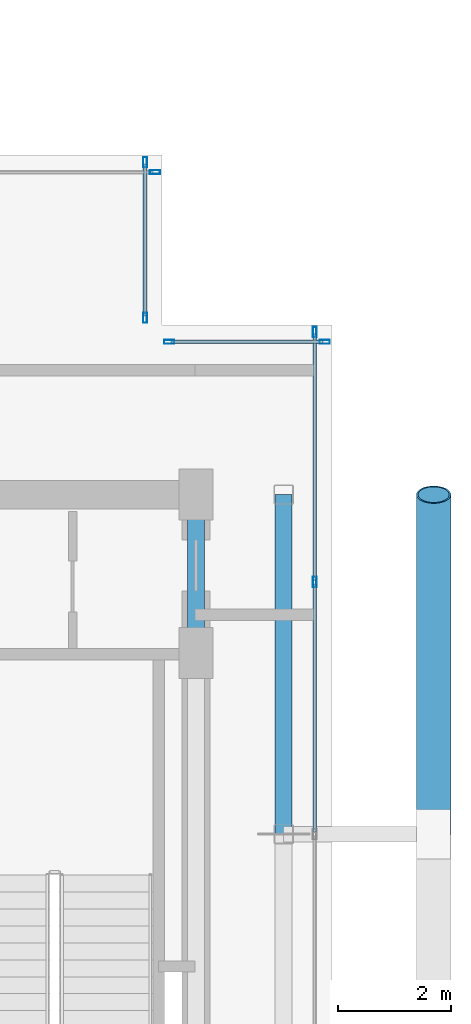
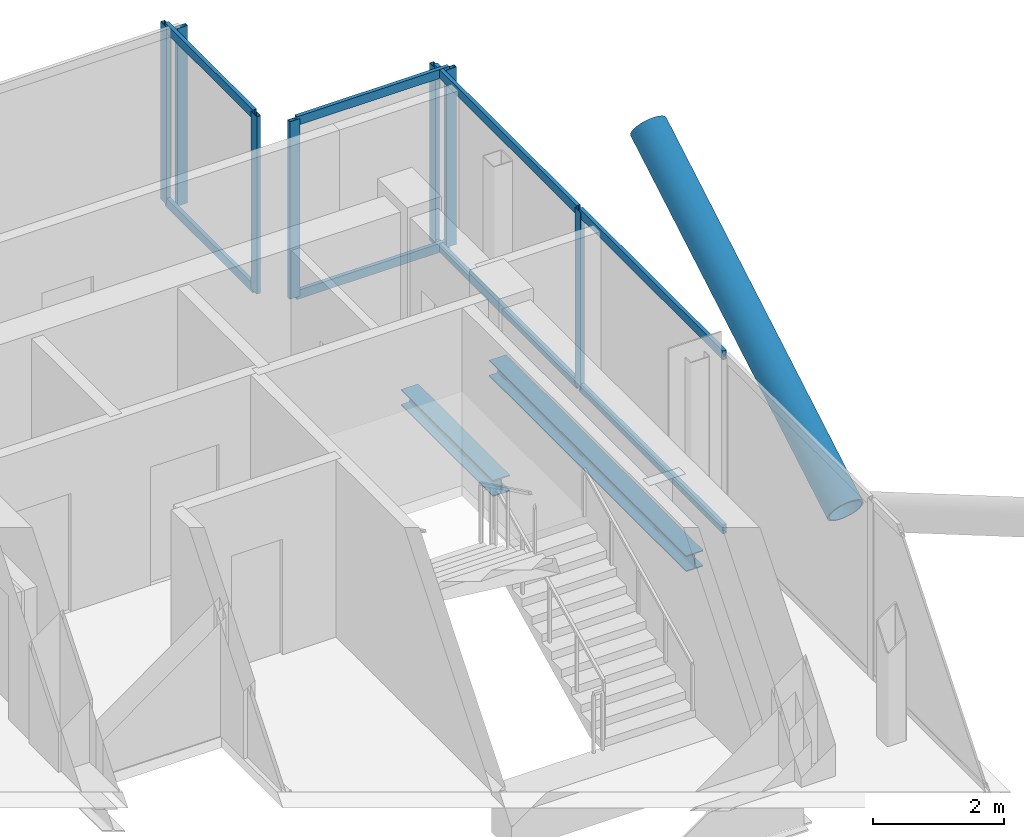
# One storey, part 12 of 18: 16 members, 2 beams, 4 elements without a shape of their own.
"""IFC4 building model written with IfcOpenShell, lengths in metres."""

from ifc_helpers import new_model, si_unit, direction, frame, origin, origin_2d, place, context, subcontext, project, spatial, hollow_rectangle, hollow_circle, i_section, extrude, material, layer, layer_set, material_profile, profile_set, type_object, element, aggregate, save


model = new_model("IFC4")

# Units and contexts
model_context = context("Model", 3, precision=1e-05, world=origin(), true_north=direction((0.0, 1.0)))
body_context = subcontext(model_context, "Body", "Model", "MODEL_VIEW")
ifc_project = project(units=[si_unit("LENGTHUNIT", "METRE"), si_unit("AREAUNIT", "SQUARE_METRE"), si_unit("VOLUMEUNIT", "CUBIC_METRE"), si_unit("PLANEANGLEUNIT", "RADIAN"), si_unit("MASSUNIT", "GRAM", prefix="KILO"), si_unit("THERMODYNAMICTEMPERATUREUNIT", "KELVIN"), si_unit("POWERUNIT", "WATT")], contexts=[model_context])

# Site, building, storey
site_placement = place(None, origin())
site = spatial("IfcSite", under=ifc_project, at=site_placement, CompositionType="ELEMENT")
building_placement = place(site_placement, origin())
building = spatial("IfcBuilding", under=site, at=building_placement, Name="Svarakhadi Broadcast Tower", CompositionType="ELEMENT")
storey_placement = place(building_placement, frame((0.0, 0.0, 253.699951171875)))
storey = spatial("IfcBuildingStorey", under=building, at=storey_placement, Name="L63", CompositionType="ELEMENT", Elevation=253.699951171875)

# Curtain wall, member
ifc_material_1 = material(Name="Anodised Bronze Aluminium AA 6063-T6", Category="aluminium")
ifc_layer = layer(ifc_material_1, 0.179931640625)
ifc_layer_set = layer_set([ifc_layer], Name="Anodised Bronze Aluminium AA 6063-T6")
curtain_wall_type = type_object("IfcCurtainWallType", Name="CW_Sys_05", PredefinedType="NOTDEFINED", material=ifc_layer_set)
curtain_wall_1_placement = place(storey_placement, origin())
curtain_wall_1 = element("IfcCurtainWall", 1, at=curtain_wall_1_placement, inside=storey, type_object=curtain_wall_type, Name="L63 Unitised Facade Curtain Wall 10", PredefinedType="NOTDEFINED")
ifc_material_profile_1 = material_profile(ifc_material_1, hollow_rectangle(XDim=0.070068359375, YDim=0.179931640625, WallThickness=0.005615234375, at=origin_2d()), Name="ALU MULLION 180x70x6")
ifc_profile_set_1 = profile_set([ifc_material_profile_1], Name="Anodised Bronze Aluminium AA 6063-T6")
member_type_1 = type_object("IfcMemberType", Name="CW_Sys_05_Mul", PredefinedType="MULLION", material=ifc_profile_set_1)
member_1_placement = place(storey_placement, frame((32.875, 23.699951171875, 0.0), z_axis=(0.0, 0.0, 1.0), x_axis=(0.0, 1.0, 0.0)))
member_1 = element("IfcMember", 2, at=member_1_placement, type_object=member_type_1, Name="CW-05 mullion 2", PredefinedType="MULLION", context=body_context, shape_type="SweptSolid", body=[
    extrude(hollow_rectangle(XDim=0.070068359375, YDim=0.179931640625, WallThickness=0.005615234375, at=origin_2d()), origin(), (0.0, 0.0, 1.0), 3.300048828125),
])
aggregate(curtain_wall_1, [member_1])

# Curtain wall, members
curtain_wall_2_placement = place(storey_placement, origin())
curtain_wall_2 = element("IfcCurtainWall", 3, at=curtain_wall_2_placement, inside=storey, type_object=curtain_wall_type, Name="L63 Unitised Facade Curtain Wall 11", PredefinedType="NOTDEFINED")
member_2_placement = place(storey_placement, frame((32.699951171875, 23.875, 0.0), z_axis=(0.0, 0.0, 1.0), x_axis=(1.0, 0.0, 0.0)))
member_2 = element("IfcMember", 4, at=member_2_placement, type_object=member_type_1, Name="CW-05 mullion 1", PredefinedType="MULLION", context=body_context, shape_type="SweptSolid", body=[
    extrude(hollow_rectangle(XDim=0.070068359375, YDim=0.179931640625, WallThickness=0.005615234375, at=origin_2d()), origin(), (0.0, 0.0, 1.0), 3.300048828125),
])
member_3_placement = place(storey_placement, frame((32.699951171875, 21.125, 0.0), z_axis=(0.0, 0.0, 1.0), x_axis=(1.0, 0.0, 0.0)))
member_3 = element("IfcMember", 5, at=member_3_placement, type_object=member_type_1, Name="CW-05 mullion 2", PredefinedType="MULLION", context=body_context, shape_type="SweptSolid", body=[
    extrude(hollow_rectangle(XDim=0.070068359375, YDim=0.179931640625, WallThickness=0.005615234375, at=origin_2d()), origin(), (0.0, 0.0, 1.0), 3.300048828125),
])

curtain_wall_3_placement = place(storey_placement, origin())
curtain_wall_3 = element("IfcCurtainWall", 6, at=curtain_wall_3_placement, inside=storey, type_object=curtain_wall_type, Name="L63 Unitised Facade Curtain Wall 12", PredefinedType="NOTDEFINED")
member_4_placement = place(storey_placement, frame((33.125, 20.699951171875, 0.0), z_axis=(0.0, 0.0, 1.0), x_axis=(0.0, 1.0, 0.0)))
member_4 = element("IfcMember", 7, at=member_4_placement, type_object=member_type_1, Name="CW-05 mullion 1", PredefinedType="MULLION", context=body_context, shape_type="SweptSolid", body=[
    extrude(hollow_rectangle(XDim=0.070068359375, YDim=0.179931640625, WallThickness=0.005615234375, at=origin_2d()), origin(), (0.0, 0.0, 1.0), 3.300048828125),
])
member_5_placement = place(storey_placement, frame((35.875, 20.699951171875, 0.0), z_axis=(0.0, 0.0, 1.0), x_axis=(0.0, 1.0, 0.0)))
member_5 = element("IfcMember", 8, at=member_5_placement, type_object=member_type_1, Name="CW-05 mullion 2", PredefinedType="MULLION", context=body_context, shape_type="SweptSolid", body=[
    extrude(hollow_rectangle(XDim=0.070068359375, YDim=0.179931640625, WallThickness=0.005615234375, at=origin_2d()), origin(), (0.0, 0.0, 1.0), 3.300048828125),
])

curtain_wall_4_placement = place(storey_placement, origin())
curtain_wall_4 = element("IfcCurtainWall", 9, at=curtain_wall_4_placement, inside=storey, type_object=curtain_wall_type, Name="L63 Unitised Facade Curtain Wall 13", PredefinedType="NOTDEFINED")
member_6_placement = place(storey_placement, frame((35.699951171875, 20.875, 0.0), z_axis=(0.0, 0.0, 1.0), x_axis=(1.0, 0.0, 0.0)))
member_6 = element("IfcMember", 10, at=member_6_placement, type_object=member_type_1, Name="CW-05 mullion 1", PredefinedType="MULLION", context=body_context, shape_type="SweptSolid", body=[
    extrude(hollow_rectangle(XDim=0.070068359375, YDim=0.179931640625, WallThickness=0.005615234375, at=origin_2d()), origin(), (0.0, 0.0, 1.0), 3.300048828125),
])
member_7_placement = place(storey_placement, frame((35.699951171875, 16.455078125, 0.0), z_axis=(0.0, 0.0, 1.0), x_axis=(1.0, 0.0, 0.0)))
member_7 = element("IfcMember", 11, at=member_7_placement, type_object=member_type_1, Name="CW-05 mullion 2", PredefinedType="MULLION", context=body_context, shape_type="SweptSolid", body=[
    extrude(hollow_rectangle(XDim=0.070068359375, YDim=0.179931640625, WallThickness=0.005615234375, at=origin_2d()), origin(), (0.0, 0.0, 1.0), 3.300048828125),
])

# Member
ifc_material_profile_2 = material_profile(ifc_material_1, hollow_rectangle(XDim=0.06494140625, YDim=0.1650390625, WallThickness=0.0048828125, at=origin_2d()), Name="ALU TRANSOM 165x65x5")
ifc_profile_set_2 = profile_set([ifc_material_profile_2], Name="Anodised Bronze Aluminium AA 6063-T6")
member_type_2 = type_object("IfcMemberType", Name="CW_Sys_05_Trn", PredefinedType="USERDEFINED", material=ifc_profile_set_2)
member_8_placement = place(storey_placement, frame((32.699951171875, 23.840087890625, 0.032470703125), z_axis=(0.0, -1.0, 0.0), x_axis=(1.0, 0.0, 0.0)))
member_8 = element("IfcMember", 12, at=member_8_placement, type_object=member_type_2, Name="CW-05 transom 1.1", ObjectType="TRANSOM", PredefinedType="USERDEFINED", context=body_context, shape_type="SweptSolid", body=[
    extrude(hollow_rectangle(XDim=0.06494140625, YDim=0.1650390625, WallThickness=0.0048828125, at=origin_2d()), origin(), (0.0, 0.0, 1.0), 2.68017578125),
])

member_9_placement = place(storey_placement, frame((32.699951171875, 23.840087890625, 3.267578125), z_axis=(0.0, -1.0, 0.0), x_axis=(1.0, 0.0, 0.0)))
member_9 = element("IfcMember", 13, at=member_9_placement, type_object=member_type_2, Name="CW-05 transom 1.2", ObjectType="TRANSOM", PredefinedType="USERDEFINED", context=body_context, shape_type="SweptSolid", body=[
    extrude(hollow_rectangle(XDim=0.06494140625, YDim=0.1650390625, WallThickness=0.0048828125, at=origin_2d()), origin(), (0.0, 0.0, 1.0), 2.68017578125),
])

aggregate(curtain_wall_2, [member_2, member_3, member_8, member_9])

member_10_placement = place(storey_placement, frame((33.159912109375, 20.699951171875, 0.032470703125), z_axis=(1.0, 0.0, 0.0), x_axis=(0.0, 1.0, 0.0)))
member_10 = element("IfcMember", 14, at=member_10_placement, type_object=member_type_2, Name="CW-05 transom 1.1", ObjectType="TRANSOM", PredefinedType="USERDEFINED", context=body_context, shape_type="SweptSolid", body=[
    extrude(hollow_rectangle(XDim=0.06494140625, YDim=0.1650390625, WallThickness=0.0048828125, at=origin_2d()), origin(), (0.0, 0.0, 1.0), 2.68017578125),
])

member_11_placement = place(storey_placement, frame((33.159912109375, 20.699951171875, 3.267578125), z_axis=(1.0, 0.0, 0.0), x_axis=(0.0, 1.0, 0.0)))
member_11 = element("IfcMember", 15, at=member_11_placement, type_object=member_type_2, Name="CW-05 transom 1.2", ObjectType="TRANSOM", PredefinedType="USERDEFINED", context=body_context, shape_type="SweptSolid", body=[
    extrude(hollow_rectangle(XDim=0.06494140625, YDim=0.1650390625, WallThickness=0.0048828125, at=origin_2d()), origin(), (0.0, 0.0, 1.0), 2.68017578125),
])

aggregate(curtain_wall_3, [member_4, member_5, member_10, member_11])

member_12_placement = place(storey_placement, frame((35.699951171875, 20.840087890625, 0.032470703125), z_axis=(0.0, -1.0, 0.0), x_axis=(1.0, 0.0, 0.0)))
member_12 = element("IfcMember", 16, at=member_12_placement, type_object=member_type_2, Name="CW-05 transom 1.1", ObjectType="TRANSOM", PredefinedType="USERDEFINED", context=body_context, shape_type="SweptSolid", body=[
    extrude(hollow_rectangle(XDim=0.06494140625, YDim=0.1650390625, WallThickness=0.0048828125, at=origin_2d()), origin(), (0.0, 0.0, 1.0), 4.35009765625),
])

member_13_placement = place(storey_placement, frame((35.699951171875, 20.840087890625, 3.267578125), z_axis=(0.0, -1.0, 0.0), x_axis=(1.0, 0.0, 0.0)))
member_13 = element("IfcMember", 17, at=member_13_placement, type_object=member_type_2, Name="CW-05 transom 1.2", ObjectType="TRANSOM", PredefinedType="USERDEFINED", context=body_context, shape_type="SweptSolid", body=[
    extrude(hollow_rectangle(XDim=0.06494140625, YDim=0.1650390625, WallThickness=0.0048828125, at=origin_2d()), origin(), (0.0, 0.0, 1.0), 4.35009765625),
])

member_14_placement = place(storey_placement, frame((35.699951171875, 16.419921875, 0.032470703125), z_axis=(0.0, -1.0, 0.0), x_axis=(1.0, 0.0, 0.0)))
member_14 = element("IfcMember", 18, at=member_14_placement, type_object=member_type_2, Name="CW-05 transom 2.1", ObjectType="TRANSOM", PredefinedType="USERDEFINED", context=body_context, shape_type="SweptSolid", body=[
    extrude(hollow_rectangle(XDim=0.06494140625, YDim=0.1650390625, WallThickness=0.0048828125, at=origin_2d()), origin(), (0.0, 0.0, 1.0), 4.385009765625),
])

member_15_placement = place(storey_placement, frame((35.699951171875, 16.419921875, 3.267578125), z_axis=(0.0, -1.0, 0.0), x_axis=(1.0, 0.0, 0.0)))
member_15 = element("IfcMember", 19, at=member_15_placement, type_object=member_type_2, Name="CW-05 transom 2.2", ObjectType="TRANSOM", PredefinedType="USERDEFINED", context=body_context, shape_type="SweptSolid", body=[
    extrude(hollow_rectangle(XDim=0.06494140625, YDim=0.1650390625, WallThickness=0.0048828125, at=origin_2d()), origin(), (0.0, 0.0, 1.0), 4.385009765625),
])

aggregate(curtain_wall_4, [member_6, member_7, member_12, member_13, member_14, member_15])

ifc_material_2 = material(Name="Steel S460ML (IS 2062 E450BR)", Category="steel")
ifc_material_profile_3 = material_profile(ifc_material_2, hollow_circle(Radius=0.304931640625, WallThickness=0.030029296875, at=origin_2d()), Name="CHS 610x30")
ifc_profile_set_3 = profile_set([ifc_material_profile_3], Name="Steel S460ML (IS 2062 E450BR)")
member_type_3 = type_object("IfcMemberType", Name="Exo_Brace_CHS610", PredefinedType="BRACE", material=ifc_profile_set_3)
member_16_placement = place(storey_placement, frame((37.800048828125, 12.0, -0.33642578125), z_axis=(0.0, 0.863778900898, 0.503871025524), x_axis=(-1.0, 0.0, 0.0)))
element("IfcMember", 20, at=member_16_placement, inside=storey, type_object=member_type_3, Name="L63 Exposed Bronze Exoskeleton Diagonal E03", PredefinedType="BRACE", context=body_context, shape_type="SweptSolid", body=[
    extrude(hollow_circle(Radius=0.304931640625, WallThickness=0.030029296875, at=origin_2d()), origin(), (0.0, 0.0, 1.0), 6.9462890625),
])

# Beams
ifc_material_3 = material(Name="Steel S355J2 (IS 2062 E350C)", Category="steel")
ifc_material_profile_4 = material_profile(ifc_material_3, i_section(OverallWidth=0.300048828125, OverallDepth=0.300048828125, WebThickness=0.010986328125, FlangeThickness=0.01904296875, FilletRadius=0.027099609375, at=origin_2d()), Name="WPB 300x300x117")
ifc_profile_set_4 = profile_set([ifc_material_profile_4], Name="Steel S355J2 (IS 2062 E350C)")
beam_type = type_object("IfcBeamType", Name="Girder_WPB300", PredefinedType="USERDEFINED", material=ifc_profile_set_4)
beam_1_placement = place(storey_placement, frame((33.60009765625, 15.199951171875, -0.349853515625), z_axis=(0.0, 1.0, 0.0), x_axis=(-1.0, 0.0, 0.0)))
element("IfcBeam", 21, at=beam_1_placement, inside=storey, type_object=beam_type, Name="L63 Primary N-S Girder G044", ObjectType="GIRDER", PredefinedType="USERDEFINED", context=body_context, shape_type="SweptSolid", body=[
    extrude(i_section(OverallWidth=0.300048828125, OverallDepth=0.300048828125, WebThickness=0.010986328125, FlangeThickness=0.01904296875, FilletRadius=0.027099609375, at=origin_2d()), origin(), (0.0, 0.0, 1.0), 2.800048828125),
])
beam_2_placement = place(storey_placement, frame((35.14990234375, 12.0, -0.349853515625), z_axis=(0.0, 1.0, 0.0), x_axis=(-1.0, 0.0, 0.0)))
element("IfcBeam", 22, at=beam_2_placement, inside=storey, type_object=beam_type, Name="L63 Primary N-S Girder G046", ObjectType="GIRDER", PredefinedType="USERDEFINED", context=body_context, shape_type="SweptSolid", body=[
    extrude(i_section(OverallWidth=0.300048828125, OverallDepth=0.300048828125, WebThickness=0.010986328125, FlangeThickness=0.01904296875, FilletRadius=0.027099609375, at=origin_2d()), origin(), (0.0, 0.0, 1.0), 6.0),
])

save(model, "model.ifc")
